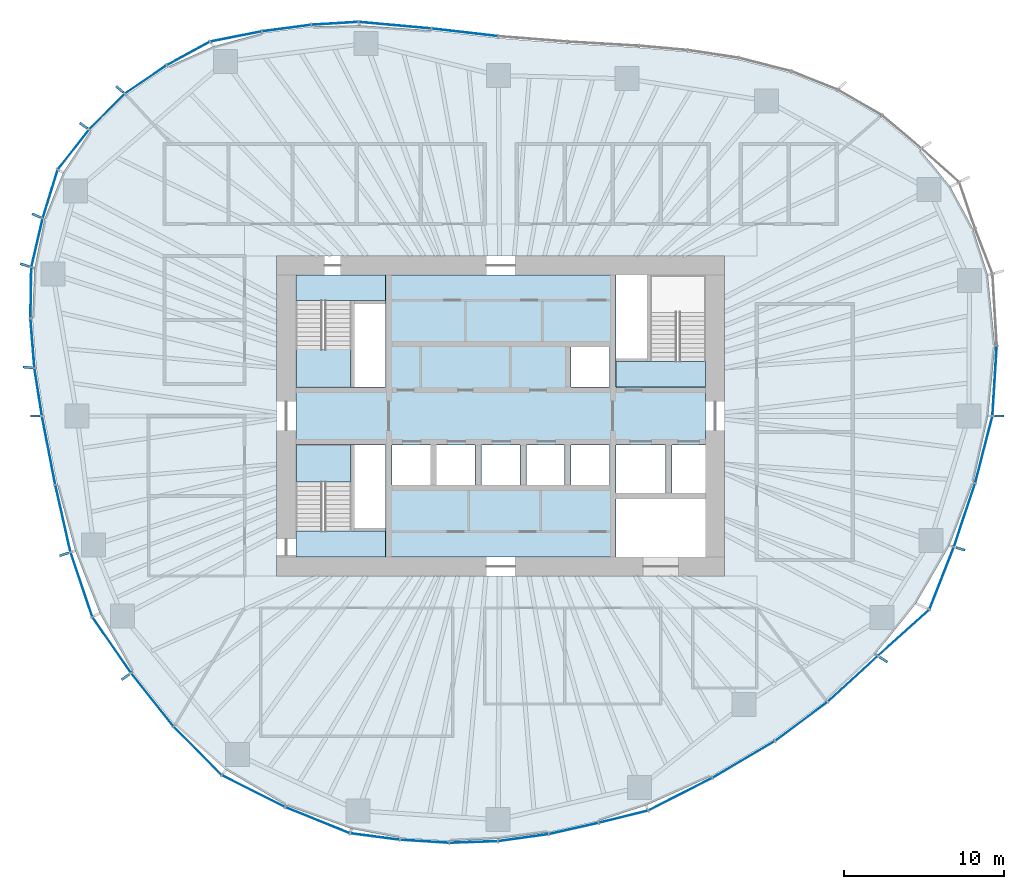
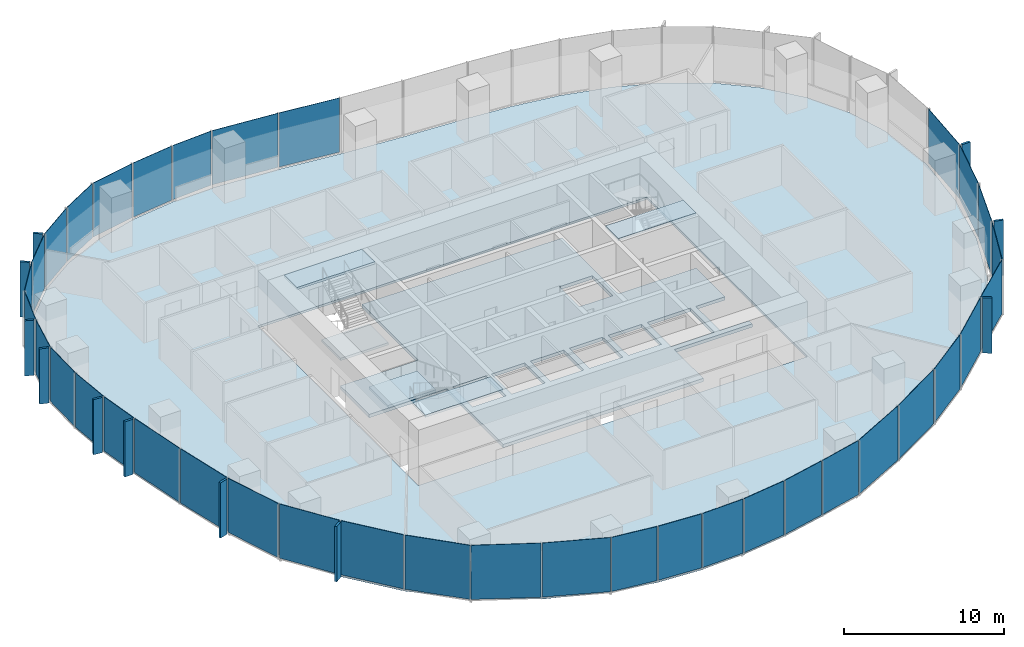
# One storey, part 7 of 18: 48 plates, 7 slabs, 19 elements without a shape of their own.
"""IFC4 building model written with IfcOpenShell, lengths in metres."""

from ifc_helpers import new_model, si_unit, direction, frame, origin, origin_2d, place, context, subcontext, project, spatial, polyline, rectangle, outline, extrude, material, layer, layer_set, type_object, element, aggregate, save


model = new_model("IFC4")

# Units and contexts
model_context = context("Model", 3, precision=1e-05, world=origin(), true_north=direction((0.0, 1.0)))
body_context = subcontext(model_context, "Body", "Model", "MODEL_VIEW")
ifc_project = project(units=[si_unit("LENGTHUNIT", "METRE"), si_unit("AREAUNIT", "SQUARE_METRE"), si_unit("VOLUMEUNIT", "CUBIC_METRE"), si_unit("PLANEANGLEUNIT", "RADIAN"), si_unit("MASSUNIT", "GRAM", prefix="KILO")], contexts=[model_context])

# Site, building, storey
site_placement = place(None, origin())
site = spatial("IfcSite", under=ifc_project, at=site_placement, CompositionType="ELEMENT")
building_placement = place(site_placement, origin())
building = spatial("IfcBuilding", under=site, at=building_placement, Name="Ghaith Harvest Tower", CompositionType="ELEMENT")
storey_placement = place(building_placement, frame((0.0, 0.0, 142.800048828125)))
storey = spatial("IfcBuildingStorey", under=building, at=storey_placement, Name="L30", CompositionType="ELEMENT", Elevation=142.800048828125)

# Curtain wall, plate
ifc_material_1 = material(Name="Black anodised aluminium and fritted glass", Category="aluminium")
curtain_wall_type = type_object("IfcCurtainWallType", Name="CW-L CURTAIN WALL", PredefinedType="NOTDEFINED", material=ifc_material_1)
curtain_wall_1_placement = place(storey_placement, origin())
curtain_wall_1 = element("IfcCurtainWall", 1, at=curtain_wall_1_placement, inside=storey, type_object=curtain_wall_type, Name="Curtain wall CW-L bay 01 L30", PredefinedType="NOTDEFINED")
ifc_material_2 = material(Name="Glass, dark solar-control fritted double glazed unit", Category="glass")
ifc_layer_1 = layer(ifc_material_2, 0.031982421875)
ifc_layer_set_1 = layer_set([ifc_layer_1], Name="CW-L VISION PANEL")
plate_type_1 = type_object("IfcPlateType", Name="CW-L VISION PANEL", PredefinedType="CURTAIN_PANEL", material=ifc_layer_set_1)
plate_1_placement = place(storey_placement, frame((30.86376953125, 2.19482421875, 0.079833984375), z_axis=(0.0, 0.0, 1.0), x_axis=(0.061379619468, 0.99811449359, 0.0)))
plate_1 = element("IfcPlate", 2, at=plate_1_placement, type_object=plate_type_1, Name="CW-L glass unit 1 bay 01 L30", PredefinedType="CURTAIN_PANEL", context=body_context, shape_type="SweptSolid", body=[
    extrude(rectangle(XDim=4.318115234375, YDim=0.031982421875, at=origin_2d()), origin(), (0.0, 0.0, 1.0), 4.1201171875),
])
aggregate(curtain_wall_1, [plate_1])

# Curtain wall, plates
curtain_wall_2_placement = place(storey_placement, origin())
curtain_wall_2 = element("IfcCurtainWall", 3, at=curtain_wall_2_placement, inside=storey, type_object=curtain_wall_type, Name="Curtain wall CW-L bay 06 L30", PredefinedType="NOTDEFINED")
plate_2_placement = place(storey_placement, frame((-2.24267578125, 23.968505859375, 0.079833984375), z_axis=(0.0, 0.0, 1.0), x_axis=(-0.993477024646, 0.114032458099, 0.0)))
plate_2 = element("IfcPlate", 4, at=plate_2_placement, type_object=plate_type_1, Name="CW-L glass unit 1 bay 06 L30", PredefinedType="CURTAIN_PANEL", context=body_context, shape_type="SweptSolid", body=[
    extrude(rectangle(XDim=4.10791015625, YDim=0.031982421875, at=origin_2d()), origin(), (0.0, 0.0, 1.0), 4.1201171875),
])
plate_3_placement = place(storey_placement, frame((-6.607666015625, 24.4140625, 0.079833984375), z_axis=(0.0, 0.0, 1.0), x_axis=(-0.995928776302, 0.090143621701, 0.0)))
plate_3 = element("IfcPlate", 5, at=plate_3_placement, type_object=plate_type_1, Name="CW-L glass unit 2 bay 06 L30", PredefinedType="CURTAIN_PANEL", context=body_context, shape_type="SweptSolid", body=[
    extrude(rectangle(XDim=4.508056640625, YDim=0.031982421875, at=origin_2d()), origin(), (0.0, 0.0, 1.0), 4.1201171875),
])
aggregate(curtain_wall_2, [plate_2, plate_3])

curtain_wall_3_placement = place(storey_placement, origin())
curtain_wall_3 = element("IfcCurtainWall", 6, at=curtain_wall_3_placement, inside=storey, type_object=curtain_wall_type, Name="Curtain wall CW-L bay 07 L30", PredefinedType="NOTDEFINED")
plate_4_placement = place(storey_placement, frame((-10.36669921875, 24.5302734375, 0.079833984375), z_axis=(0.0, 0.0, 1.0), x_axis=(-0.998119199641, -0.061303044853, 0.0)))
plate_4 = element("IfcPlate", 7, at=plate_4_placement, type_object=plate_type_1, Name="CW-L glass unit 1 bay 07 L30", PredefinedType="CURTAIN_PANEL", context=body_context, shape_type="SweptSolid", body=[
    extrude(rectangle(XDim=2.874267578125, YDim=0.031982421875, at=origin_2d()), origin(), (0.0, 0.0, 1.0), 4.1201171875),
])
plate_5_placement = place(storey_placement, frame((-13.382568359375, 24.23486328125, 0.079833984375), z_axis=(0.0, 0.0, 1.0), x_axis=(-0.991285895369, -0.131728029071, 0.0)))
plate_5 = element("IfcPlate", 8, at=plate_5_placement, type_object=plate_type_1, Name="CW-L glass unit 2 bay 07 L30", PredefinedType="CURTAIN_PANEL", context=body_context, shape_type="SweptSolid", body=[
    extrude(rectangle(XDim=3.02978515625, YDim=0.031982421875, at=origin_2d()), origin(), (0.0, 0.0, 1.0), 4.1201171875),
])
plate_6_placement = place(storey_placement, frame((-16.54443359375, 23.7099609375, 0.079833984375), z_axis=(0.0, 0.0, 1.0), x_axis=(-0.981037550101, -0.193817763096, 0.0)))
plate_6 = element("IfcPlate", 9, at=plate_6_placement, type_object=plate_type_1, Name="CW-L glass unit 3 bay 07 L30", PredefinedType="CURTAIN_PANEL", context=body_context, shape_type="SweptSolid", body=[
    extrude(rectangle(XDim=3.22412109375, YDim=0.031982421875, at=origin_2d()), origin(), (0.0, 0.0, 1.0), 4.1201171875),
])
aggregate(curtain_wall_3, [plate_4, plate_5, plate_6])

curtain_wall_4_placement = place(storey_placement, origin())
curtain_wall_4 = element("IfcCurtainWall", 10, at=curtain_wall_4_placement, inside=storey, type_object=curtain_wall_type, Name="Curtain wall CW-L bay 08 L30", PredefinedType="NOTDEFINED")
plate_7_placement = place(storey_placement, frame((-19.520263671875, 22.650634765625, 0.079833984375), z_axis=(0.0, 0.0, 1.0), x_axis=(-0.877940384665, -0.478769966659, 0.0)))
plate_7 = element("IfcPlate", 11, at=plate_7_placement, type_object=plate_type_1, Name="CW-L glass unit 1 bay 08 L30", PredefinedType="CURTAIN_PANEL", context=body_context, shape_type="SweptSolid", body=[
    extrude(rectangle(XDim=3.007080078125, YDim=0.031982421875, at=origin_2d()), origin(), (0.0, 0.0, 1.0), 4.1201171875),
])
plate_8_placement = place(storey_placement, frame((-22.182373046875, 21.025390625, 0.079833984375), z_axis=(0.0, 0.0, 1.0), x_axis=(-0.827674847773, -0.561207935051, 0.0)))
plate_8 = element("IfcPlate", 12, at=plate_8_placement, type_object=plate_type_1, Name="CW-L glass unit 2 bay 08 L30", PredefinedType="CURTAIN_PANEL", context=body_context, shape_type="SweptSolid", body=[
    extrude(rectangle(XDim=3.078369140625, YDim=0.031982421875, at=origin_2d()), origin(), (0.0, 0.0, 1.0), 4.1201171875),
])
plate_9_placement = place(storey_placement, frame((-24.603759765625, 19.01708984375, 0.079833984375), z_axis=(0.0, 0.0, 1.0), x_axis=(-0.704613943896, -0.709590861037, 0.0)))
plate_9 = element("IfcPlate", 13, at=plate_9_placement, type_object=plate_type_1, Name="CW-L glass unit 3 bay 08 L30", PredefinedType="CURTAIN_PANEL", context=body_context, shape_type="SweptSolid", body=[
    extrude(rectangle(XDim=3.0830078125, YDim=0.031982421875, at=origin_2d()), origin(), (0.0, 0.0, 1.0), 4.1201171875),
])
aggregate(curtain_wall_4, [plate_7, plate_8, plate_9])

curtain_wall_5_placement = place(storey_placement, origin())
curtain_wall_5 = element("IfcCurtainWall", 14, at=curtain_wall_5_placement, inside=storey, type_object=curtain_wall_type, Name="Curtain wall CW-L bay 09 L30", PredefinedType="NOTDEFINED")
plate_10_placement = place(storey_placement, frame((-26.69873046875, 16.644775390625, 0.079833984375), z_axis=(0.0, 0.0, 1.0), x_axis=(-0.617140806324, -0.786852734106, 0.0)))
plate_10 = element("IfcPlate", 15, at=plate_10_placement, type_object=plate_type_1, Name="CW-L glass unit 1 bay 09 L30", PredefinedType="CURTAIN_PANEL", context=body_context, shape_type="SweptSolid", body=[
    extrude(rectangle(XDim=3.09765625, YDim=0.031982421875, at=origin_2d()), origin(), (0.0, 0.0, 1.0), 4.1201171875),
])
plate_11_placement = place(storey_placement, frame((-28.14794921875, 13.869140625, 0.079833984375), z_axis=(0.0, 0.0, 1.0), x_axis=(-0.293802674087, -0.955866093498, 0.0)))
plate_11 = element("IfcPlate", 16, at=plate_11_placement, type_object=plate_type_1, Name="CW-L glass unit 2 bay 09 L30", PredefinedType="CURTAIN_PANEL", context=body_context, shape_type="SweptSolid", body=[
    extrude(rectangle(XDim=3.111328125, YDim=0.031982421875, at=origin_2d()), origin(), (0.0, 0.0, 1.0), 4.1201171875),
])
plate_12_placement = place(storey_placement, frame((-28.9716796875, 10.819091796875, 0.079833984375), z_axis=(0.0, 0.0, 1.0), x_axis=(-0.226698962458, -0.973964876379, 0.0)))
plate_12 = element("IfcPlate", 17, at=plate_12_placement, type_object=plate_type_1, Name="CW-L glass unit 3 bay 09 L30", PredefinedType="CURTAIN_PANEL", context=body_context, shape_type="SweptSolid", body=[
    extrude(rectangle(XDim=3.05126953125, YDim=0.031982421875, at=origin_2d()), origin(), (0.0, 0.0, 1.0), 4.1201171875),
])
aggregate(curtain_wall_5, [plate_10, plate_11, plate_12])

curtain_wall_6_placement = place(storey_placement, origin())
curtain_wall_6 = element("IfcCurtainWall", 18, at=curtain_wall_6_placement, inside=storey, type_object=curtain_wall_type, Name="Curtain wall CW-L bay 10 L30", PredefinedType="NOTDEFINED")
plate_13_placement = place(storey_placement, frame((-29.352294921875, 7.695068359375, 0.079833984375), z_axis=(0.0, 0.0, 1.0), x_axis=(-0.016034106433, -0.999871445452, 0.0)))
plate_13 = element("IfcPlate", 19, at=plate_13_placement, type_object=plate_type_1, Name="CW-L glass unit 1 bay 10 L30", PredefinedType="CURTAIN_PANEL", context=body_context, shape_type="SweptSolid", body=[
    extrude(rectangle(XDim=3.118408203125, YDim=0.031982421875, at=origin_2d()), origin(), (0.0, 0.0, 1.0), 4.1201171875),
])
plate_14_placement = place(storey_placement, frame((-29.25439453125, 4.54345703125, 0.079833984375), z_axis=(0.0, 0.0, 1.0), x_axis=(0.079273335663, -0.996852917061, 0.0)))
plate_14 = element("IfcPlate", 20, at=plate_14_placement, type_object=plate_type_1, Name="CW-L glass unit 2 bay 10 L30", PredefinedType="CURTAIN_PANEL", context=body_context, shape_type="SweptSolid", body=[
    extrude(rectangle(XDim=3.035400390625, YDim=0.031982421875, at=origin_2d()), origin(), (0.0, 0.0, 1.0), 4.1201171875),
])
plate_15_placement = place(storey_placement, frame((-28.896240234375, 1.495361328125, 0.079833984375), z_axis=(0.0, 0.0, 1.0), x_axis=(0.155172175389, -0.987887440949, 0.0)))
plate_15 = element("IfcPlate", 21, at=plate_15_placement, type_object=plate_type_1, Name="CW-L glass unit 3 bay 10 L30", PredefinedType="CURTAIN_PANEL", context=body_context, shape_type="SweptSolid", body=[
    extrude(rectangle(XDim=2.947265625, YDim=0.031982421875, at=origin_2d()), origin(), (0.0, 0.0, 1.0), 4.1201171875),
])
aggregate(curtain_wall_6, [plate_13, plate_14, plate_15])

curtain_wall_7_placement = place(storey_placement, origin())
curtain_wall_7 = element("IfcCurtainWall", 22, at=curtain_wall_7_placement, inside=storey, type_object=curtain_wall_type, Name="Curtain wall CW-L bay 11 L30", PredefinedType="NOTDEFINED")
plate_16_placement = place(storey_placement, frame((-28.24462890625, -2.152099609375, 0.079833984375), z_axis=(0.0, 0.0, 1.0), x_axis=(0.190044913274, -0.981775397399, 0.0)))
plate_16 = element("IfcPlate", 23, at=plate_16_placement, type_object=plate_type_1, Name="CW-L glass unit 1 bay 11 L30", PredefinedType="CURTAIN_PANEL", context=body_context, shape_type="SweptSolid", body=[
    extrude(rectangle(XDim=4.303955078125, YDim=0.031982421875, at=origin_2d()), origin(), (0.0, 0.0, 1.0), 4.1201171875),
])
plate_17_placement = place(storey_placement, frame((-27.351806640625, -6.41064453125, 0.079833984375), z_axis=(0.0, 0.0, 1.0), x_axis=(0.220483469245, -0.975390711351, 0.0)))
plate_17 = element("IfcPlate", 24, at=plate_17_placement, type_object=plate_type_1, Name="CW-L glass unit 2 bay 11 L30", PredefinedType="CURTAIN_PANEL", context=body_context, shape_type="SweptSolid", body=[
    extrude(rectangle(XDim=4.239501953125, YDim=0.031982421875, at=origin_2d()), origin(), (0.0, 0.0, 1.0), 4.1201171875),
])
aggregate(curtain_wall_7, [plate_16, plate_17])

curtain_wall_8_placement = place(storey_placement, origin())
curtain_wall_8 = element("IfcCurtainWall", 25, at=curtain_wall_8_placement, inside=storey, type_object=curtain_wall_type, Name="Curtain wall CW-L bay 12 L30", PredefinedType="NOTDEFINED")
plate_18_placement = place(storey_placement, frame((-26.194580078125, -10.537841796875, 0.079833984375), z_axis=(0.0, 0.0, 1.0), x_axis=(0.319477383729, -0.947593901039, 0.0)))
plate_18 = element("IfcPlate", 26, at=plate_18_placement, type_object=plate_type_1, Name="CW-L glass unit 1 bay 12 L30", PredefinedType="CURTAIN_PANEL", context=body_context, shape_type="SweptSolid", body=[
    extrude(rectangle(XDim=4.184326171875, YDim=0.031982421875, at=origin_2d()), origin(), (0.0, 0.0, 1.0), 4.1201171875),
])
plate_19_placement = place(storey_placement, frame((-24.3017578125, -14.312255859375, 0.079833984375), z_axis=(0.0, 0.0, 1.0), x_axis=(0.568347699633, -0.822788485774, 0.0)))
plate_19 = element("IfcPlate", 27, at=plate_19_placement, type_object=plate_type_1, Name="CW-L glass unit 2 bay 12 L30", PredefinedType="CURTAIN_PANEL", context=body_context, shape_type="SweptSolid", body=[
    extrude(rectangle(XDim=4.18359375, YDim=0.031982421875, at=origin_2d()), origin(), (0.0, 0.0, 1.0), 4.1201171875),
])
aggregate(curtain_wall_8, [plate_18, plate_19])

curtain_wall_9_placement = place(storey_placement, origin())
curtain_wall_9 = element("IfcCurtainWall", 28, at=curtain_wall_9_placement, inside=storey, type_object=curtain_wall_type, Name="Curtain wall CW-L bay 13 L30", PredefinedType="NOTDEFINED")
plate_20_placement = place(storey_placement, frame((-21.765625, -17.7314453125, 0.079833984375), z_axis=(0.0, 0.0, 1.0), x_axis=(0.622507360482, -0.782613944513, 0.0)))
plate_20 = element("IfcPlate", 29, at=plate_20_placement, type_object=plate_type_1, Name="CW-L glass unit 1 bay 13 L30", PredefinedType="CURTAIN_PANEL", context=body_context, shape_type="SweptSolid", body=[
    extrude(rectangle(XDim=4.175537109375, YDim=0.031982421875, at=origin_2d()), origin(), (0.0, 0.0, 1.0), 4.1201171875),
])
plate_21_placement = place(storey_placement, frame((-18.935791015625, -20.920166015625, 0.079833984375), z_axis=(0.0, 0.0, 1.0), x_axis=(0.702843151286, -0.711344856375, 0.0)))
plate_21 = element("IfcPlate", 30, at=plate_21_placement, type_object=plate_type_1, Name="CW-L glass unit 2 bay 13 L30", PredefinedType="CURTAIN_PANEL", context=body_context, shape_type="SweptSolid", body=[
    extrude(rectangle(XDim=4.203369140625, YDim=0.031982421875, at=origin_2d()), origin(), (0.0, 0.0, 1.0), 4.1201171875),
])
aggregate(curtain_wall_9, [plate_20, plate_21])

curtain_wall_10_placement = place(storey_placement, origin())
curtain_wall_10 = element("IfcCurtainWall", 31, at=curtain_wall_10_placement, inside=storey, type_object=curtain_wall_type, Name="Curtain wall CW-L bay 14 L30", PredefinedType="NOTDEFINED")
plate_22_placement = place(storey_placement, frame((-15.44677734375, -23.443115234375, 0.079833984375), z_axis=(0.0, 0.0, 1.0), x_axis=(0.893062297869, -0.449933030712, 0.0)))
plate_22 = element("IfcPlate", 32, at=plate_22_placement, type_object=plate_type_1, Name="CW-L glass unit 1 bay 14 L30", PredefinedType="CURTAIN_PANEL", context=body_context, shape_type="SweptSolid", body=[
    extrude(rectangle(XDim=4.362548828125, YDim=0.031982421875, at=origin_2d()), origin(), (0.0, 0.0, 1.0), 4.1201171875),
])
plate_23_placement = place(storey_placement, frame((-11.441162109375, -25.260498046875, 0.079833984375), z_axis=(0.0, 0.0, 1.0), x_axis=(0.927002522537, -0.375055093567, 0.0)))
plate_23 = element("IfcPlate", 33, at=plate_23_placement, type_object=plate_type_1, Name="CW-L glass unit 2 bay 14 L30", PredefinedType="CURTAIN_PANEL", context=body_context, shape_type="SweptSolid", body=[
    extrude(rectangle(XDim=4.282470703125, YDim=0.031982421875, at=origin_2d()), origin(), (0.0, 0.0, 1.0), 4.1201171875),
])
aggregate(curtain_wall_10, [plate_22, plate_23])

curtain_wall_11_placement = place(storey_placement, origin())
curtain_wall_11 = element("IfcCurtainWall", 34, at=curtain_wall_11_placement, inside=storey, type_object=curtain_wall_type, Name="Curtain wall CW-L bay 15 L30", PredefinedType="NOTDEFINED")
plate_24_placement = place(storey_placement, frame((-7.856689453125, -26.281005859375, 0.079833984375), z_axis=(0.0, 0.0, 1.0), x_axis=(0.99172348392, -0.128392100386, 0.0)))
plate_24 = element("IfcPlate", 35, at=plate_24_placement, type_object=plate_type_1, Name="CW-L glass unit 1 bay 15 L30", PredefinedType="CURTAIN_PANEL", context=body_context, shape_type="SweptSolid", body=[
    extrude(rectangle(XDim=3.07080078125, YDim=0.031982421875, at=origin_2d()), origin(), (0.0, 0.0, 1.0), 4.1201171875),
])
plate_25_placement = place(storey_placement, frame((-4.7568359375, -26.57958984375, 0.079833984375), z_axis=(0.0, 0.0, 1.0), x_axis=(0.998038280843, -0.062606628824, 0.0)))
plate_25 = element("IfcPlate", 36, at=plate_25_placement, type_object=plate_type_1, Name="CW-L glass unit 2 bay 15 L30", PredefinedType="CURTAIN_PANEL", context=body_context, shape_type="SweptSolid", body=[
    extrude(rectangle(XDim=3.001220703125, YDim=0.031982421875, at=origin_2d()), origin(), (0.0, 0.0, 1.0), 4.1201171875),
])
plate_26_placement = place(storey_placement, frame((-1.700439453125, -26.624755859375, 0.079833984375), z_axis=(0.0, 0.0, 1.0), x_axis=(0.999431515426, 0.033714180603, 0.0)))
plate_26 = element("IfcPlate", 37, at=plate_26_placement, type_object=plate_type_1, Name="CW-L glass unit 3 bay 15 L30", PredefinedType="CURTAIN_PANEL", context=body_context, shape_type="SweptSolid", body=[
    extrude(rectangle(XDim=2.958984375, YDim=0.031982421875, at=origin_2d()), origin(), (0.0, 0.0, 1.0), 4.1201171875),
])
aggregate(curtain_wall_11, [plate_24, plate_25, plate_26])

curtain_wall_12_placement = place(storey_placement, origin())
curtain_wall_12 = element("IfcCurtainWall", 38, at=curtain_wall_12_placement, inside=storey, type_object=curtain_wall_type, Name="Curtain wall CW-L bay 16 L30", PredefinedType="NOTDEFINED")
plate_27_placement = place(storey_placement, frame((1.4140625, -26.3515625, 0.079833984375), z_axis=(0.0, 0.0, 1.0), x_axis=(0.990448098003, 0.137886058621, 0.0)))
plate_27 = element("IfcPlate", 39, at=plate_27_placement, type_object=plate_type_1, Name="CW-L glass unit 1 bay 16 L30", PredefinedType="CURTAIN_PANEL", context=body_context, shape_type="SweptSolid", body=[
    extrude(rectangle(XDim=3.142578125, YDim=0.031982421875, at=origin_2d()), origin(), (0.0, 0.0, 1.0), 4.1201171875),
])
plate_28_placement = place(storey_placement, frame((4.565185546875, -25.77734375, 0.079833984375), z_axis=(0.0, 0.0, 1.0), x_axis=(0.975341754172, 0.220699937852, 0.0)))
plate_28 = element("IfcPlate", 40, at=plate_28_placement, type_object=plate_type_1, Name="CW-L glass unit 2 bay 16 L30", PredefinedType="CURTAIN_PANEL", context=body_context, shape_type="SweptSolid", body=[
    extrude(rectangle(XDim=3.10888671875, YDim=0.031982421875, at=origin_2d()), origin(), (0.0, 0.0, 1.0), 4.1201171875),
])
plate_29_placement = place(storey_placement, frame((7.66845703125, -25.0400390625, 0.079833984375), z_axis=(0.0, 0.0, 1.0), x_axis=(0.970384283801, 0.241566433413, 0.0)))
plate_29 = element("IfcPlate", 41, at=plate_29_placement, type_object=plate_type_1, Name="CW-L glass unit 3 bay 16 L30", PredefinedType="CURTAIN_PANEL", context=body_context, shape_type="SweptSolid", body=[
    extrude(rectangle(XDim=3.111083984375, YDim=0.031982421875, at=origin_2d()), origin(), (0.0, 0.0, 1.0), 4.1201171875),
])
aggregate(curtain_wall_12, [plate_27, plate_28, plate_29])

curtain_wall_13_placement = place(storey_placement, origin())
curtain_wall_13 = element("IfcCurtainWall", 42, at=curtain_wall_13_placement, inside=storey, type_object=curtain_wall_type, Name="Curtain wall CW-L bay 17 L30", PredefinedType="NOTDEFINED")
plate_30_placement = place(storey_placement, frame((11.220703125, -23.63427734375, 0.079833984375), z_axis=(0.0, 0.0, 1.0), x_axis=(0.891126766056, 0.453754434489, 0.0)))
plate_30 = element("IfcPlate", 43, at=plate_30_placement, type_object=plate_type_1, Name="CW-L glass unit 1 bay 17 L30", PredefinedType="CURTAIN_PANEL", context=body_context, shape_type="SweptSolid", body=[
    extrude(rectangle(XDim=4.417236328125, YDim=0.031982421875, at=origin_2d()), origin(), (0.0, 0.0, 1.0), 4.1201171875),
])
plate_31_placement = place(storey_placement, frame((15.17822265625, -21.46484375, 0.079833984375), z_axis=(0.0, 0.0, 1.0), x_axis=(0.861979497965, 0.506943137924, 0.0)))
plate_31 = element("IfcPlate", 44, at=plate_31_placement, type_object=plate_type_1, Name="CW-L glass unit 2 bay 17 L30", PredefinedType="CURTAIN_PANEL", context=body_context, shape_type="SweptSolid", body=[
    extrude(rectangle(XDim=4.453125, YDim=0.031982421875, at=origin_2d()), origin(), (0.0, 0.0, 1.0), 4.1201171875),
])
aggregate(curtain_wall_13, [plate_30, plate_31])

curtain_wall_14_placement = place(storey_placement, origin())
curtain_wall_14 = element("IfcCurtainWall", 45, at=curtain_wall_14_placement, inside=storey, type_object=curtain_wall_type, Name="Curtain wall CW-L bay 18 L30", PredefinedType="NOTDEFINED")
plate_32_placement = place(storey_placement, frame((18.78076171875, -19.08984375, 0.079833984375), z_axis=(0.0, 0.0, 1.0), x_axis=(0.802462370117, 0.596702727115, 0.0)))
plate_32 = element("IfcPlate", 46, at=plate_32_placement, type_object=plate_type_1, Name="CW-L glass unit 1 bay 18 L30", PredefinedType="CURTAIN_PANEL", context=body_context, shape_type="SweptSolid", body=[
    extrude(rectangle(XDim=4.029541015625, YDim=0.031982421875, at=origin_2d()), origin(), (0.0, 0.0, 1.0), 4.1201171875),
])
plate_33_placement = place(storey_placement, frame((21.9951171875, -16.428955078125, 0.079833984375), z_axis=(0.0, 0.0, 1.0), x_axis=(0.737201663563, 0.675672781189, 0.0)))
plate_33 = element("IfcPlate", 47, at=plate_33_placement, type_object=plate_type_1, Name="CW-L glass unit 2 bay 18 L30", PredefinedType="CURTAIN_PANEL", context=body_context, shape_type="SweptSolid", body=[
    extrude(rectangle(XDim=4.1669921875, YDim=0.031982421875, at=origin_2d()), origin(), (0.0, 0.0, 1.0), 4.1201171875),
])
aggregate(curtain_wall_14, [plate_32, plate_33])

curtain_wall_15_placement = place(storey_placement, origin())
curtain_wall_15 = element("IfcCurtainWall", 48, at=curtain_wall_15_placement, inside=storey, type_object=curtain_wall_type, Name="Curtain wall CW-L bay 19 L30", PredefinedType="NOTDEFINED")
plate_34_placement = place(storey_placement, frame((25.17333984375, -13.54345703125, 0.079833984375), z_axis=(0.0, 0.0, 1.0), x_axis=(0.743493028761, 0.668743684968, 0.0)))
plate_34 = element("IfcPlate", 49, at=plate_34_placement, type_object=plate_type_1, Name="CW-L glass unit 1 bay 19 L30", PredefinedType="CURTAIN_PANEL", context=body_context, shape_type="SweptSolid", body=[
    extrude(rectangle(XDim=4.2587890625, YDim=0.031982421875, at=origin_2d()), origin(), (0.0, 0.0, 1.0), 4.1201171875),
])
plate_35_placement = place(storey_placement, frame((27.552978515625, -10.138916015625, 0.079833984375), z_axis=(0.0, 0.0, 1.0), x_axis=(0.365226458984, 0.930918704108, 0.0)))
plate_35 = element("IfcPlate", 50, at=plate_35_placement, type_object=plate_type_1, Name="CW-L glass unit 2 bay 19 L30", PredefinedType="CURTAIN_PANEL", context=body_context, shape_type="SweptSolid", body=[
    extrude(rectangle(XDim=4.11767578125, YDim=0.031982421875, at=origin_2d()), origin(), (0.0, 0.0, 1.0), 4.1201171875),
])
aggregate(curtain_wall_15, [plate_34, plate_35])

curtain_wall_16_placement = place(storey_placement, origin())
curtain_wall_16 = element("IfcCurtainWall", 51, at=curtain_wall_16_placement, inside=storey, type_object=curtain_wall_type, Name="Curtain wall CW-L bay 20 L30", PredefinedType="NOTDEFINED")
plate_36_placement = place(storey_placement, frame((28.982666015625, -6.191650390625, 0.079833984375), z_axis=(0.0, 0.0, 1.0), x_axis=(0.315708038084, 0.948856382541, 0.0)))
plate_36 = element("IfcPlate", 52, at=plate_36_placement, type_object=plate_type_1, Name="CW-L glass unit 1 bay 20 L30", PredefinedType="CURTAIN_PANEL", context=body_context, shape_type="SweptSolid", body=[
    extrude(rectangle(XDim=4.12158203125, YDim=0.031982421875, at=origin_2d()), origin(), (0.0, 0.0, 1.0), 4.1201171875),
])
plate_37_placement = place(storey_placement, frame((30.187255859375, -2.09912109375, 0.079833984375), z_axis=(0.0, 0.0, 1.0), x_axis=(0.24974411022, 0.968311870944, 0.0)))
plate_37 = element("IfcPlate", 53, at=plate_37_placement, type_object=plate_type_1, Name="CW-L glass unit 2 bay 20 L30", PredefinedType="CURTAIN_PANEL", context=body_context, shape_type="SweptSolid", body=[
    extrude(rectangle(XDim=4.255615234375, YDim=0.031982421875, at=origin_2d()), origin(), (0.0, 0.0, 1.0), 4.1201171875),
])
aggregate(curtain_wall_16, [plate_36, plate_37])

# Slabs
ifc_material_3 = material(Name="Concrete C40/50", Category="concrete")
ifc_layer_2 = layer(ifc_material_3, 0.169921875)
ifc_layer_set_2 = layer_set([ifc_layer_2], Name="FLOOR SLAB 170")
slab_type_1 = type_object("IfcSlabType", Name="FLOOR SLAB 170", PredefinedType="FLOOR", material=ifc_layer_set_2)
slab_1_placement = place(storey_placement, frame((0.0, 0.0, -0.170166015625)))
element("IfcSlab", 54, at=slab_1_placement, inside=storey, type_object=slab_type_1, Name="Floor slab L30", PredefinedType="FLOOR", context=body_context, shape_type="SweptSolid", body=[
    extrude(outline(polyline([(30.458740234375, 0.0), (30.8798828125, 4.373046875), (30.439208984375, 8.797607421875), (29.52294921875, 11.671875), (28.0888671875, 14.32568359375), (26.179443359375, 16.660888671875), (23.7275390625, 18.718017578125), (20.97998046875, 20.3056640625), (18.0849609375, 21.4462890625), (14.79833984375, 22.27978515625), (11.617919921875, 22.757080078125), (8.604736328125, 23.017333984375), (4.125732421875, 23.272705078125), (-0.16162109375, 23.609619140625), (-4.302001953125, 24.089111328125), (-8.814208984375, 24.404541015625), (-11.788818359375, 24.331787109375), (-14.860595703125, 23.927978515625), (-17.938232421875, 23.097412109375), (-20.79248046875, 21.82470703125), (-23.398193359375, 20.06103515625), (-25.61962890625, 17.826416015625), (-27.33837890625, 15.204833984375), (-28.506591796875, 12.29638671875), (-29.12646484375, 9.230712890625), (-29.260498046875, 6.07177734375), (-29.01171875, 2.978271484375), (-28.541259765625, 0.0), (-27.70947265625, -4.285888671875), (-26.580078125, -8.423583984375), (-25.046875, -12.32861328125), (-22.99169921875, -15.997802734375), (-20.35400390625, -19.31396484375), (-17.1728515625, -22.11181640625), (-13.4052734375, -24.33740234375), (-9.317138671875, -25.79638671875), (-6.2666015625, -26.366455078125), (-3.204833984375, -26.556884765625), (-0.180908203125, -26.423583984375), (2.99609375, -26.010009765625), (6.09228515625, -25.308837890625), (9.09423828125, -24.326904296875), (13.163818359375, -22.510498046875), (17.054443359375, -20.22412109375), (20.33935546875, -17.784912109375), (23.400390625, -14.89208984375), (25.94775390625, -11.714111328125), (28.03125, -8.1015625), (29.527099609375, -4.181396484375), (30.458740234375, 0.0)]), holes=[polyline([(-14.0, -10.0), (14.0, -10.0), (14.0, 10.0), (-14.0, 10.0), (-14.0, -10.0)])]), origin(), (0.0, 0.0, 1.0), 0.170166015625),
])
ifc_material_4 = material(Name="Concrete C40/50", Category="concrete")
ifc_layer_3 = layer(ifc_material_4, 0.25)
ifc_layer_set_3 = layer_set([ifc_layer_3], Name="FLOOR SLAB 250")
slab_type_2 = type_object("IfcSlabType", Name="FLOOR SLAB 250", PredefinedType="FLOOR", material=ifc_layer_set_3)
slab_2_placement = place(storey_placement, frame((0.0, 0.0, -0.25)))
element("IfcSlab", 55, at=slab_2_placement, inside=storey, type_object=slab_type_2, Name="Core slab L30", PredefinedType="FLOOR", context=body_context, shape_type="SweptSolid", body=[
    extrude(outline(polyline([(-12.800048828125, 1.800048828125), (-7.199951171875, 1.800048828125), (-7.199951171875, 8.800048828125), (7.199951171875, 8.800048828125), (7.199951171875, 1.800048828125), (12.800048828125, 1.800048828125), (12.800048828125, -1.800048828125), (10.699951171875, -1.800048828125), (10.699951171875, -4.800048828125), (12.800048828125, -4.800048828125), (12.800048828125, -5.199951171875), (7.199951171875, -5.199951171875), (7.199951171875, -8.800048828125), (-7.199951171875, -8.800048828125), (-7.199951171875, -1.800048828125), (-12.800048828125, -1.800048828125), (-12.800048828125, 1.800048828125)]), holes=[polyline([(-4.39990234375, -4.300048828125), (-4.39990234375, -1.800048828125), (-6.800048828125, -1.800048828125), (-6.800048828125, -4.300048828125), (-4.39990234375, -4.300048828125)]), polyline([(-1.60009765625, -4.300048828125), (-1.60009765625, -1.800048828125), (-4.0, -1.800048828125), (-4.0, -4.300048828125), (-1.60009765625, -4.300048828125)]), polyline([(1.199951171875, -1.800048828125), (-1.199951171875, -1.800048828125), (-1.199951171875, -4.300048828125), (1.199951171875, -4.300048828125), (1.199951171875, -1.800048828125)]), polyline([(4.0, -4.300048828125), (4.0, -1.800048828125), (1.60009765625, -1.800048828125), (1.60009765625, -4.300048828125), (4.0, -4.300048828125)]), polyline([(10.300048828125, -4.800048828125), (10.300048828125, -1.800048828125), (7.199951171875, -1.800048828125), (7.199951171875, -4.800048828125), (10.300048828125, -4.800048828125)]), polyline([(6.800048828125, -1.800048828125), (4.39990234375, -1.800048828125), (4.39990234375, -4.300048828125), (6.800048828125, -4.300048828125), (6.800048828125, -1.800048828125)]), polyline([(6.800048828125, 1.800048828125), (6.800048828125, 4.300048828125), (4.39990234375, 4.300048828125), (4.39990234375, 1.800048828125), (6.800048828125, 1.800048828125)])]), origin(), (0.0, 0.0, 1.0), 0.25),
])

# Stair, slabs
ifc_material_5 = material(Name="Concrete C40/50, precast", Category="concrete")
stair_type = type_object("IfcStairType", Name="CORE STAIR 24R", PredefinedType="HALF_TURN_STAIR", material=ifc_material_5)
stair_1_placement = place(storey_placement, origin())
stair_1 = element("IfcStair", 56, at=stair_1_placement, inside=storey, type_object=stair_type, Name="Stair ST1 L30", PredefinedType="HALF_TURN_STAIR")
ifc_material_6 = material(Name="Concrete C40/50, precast", Category="concrete")
ifc_layer_4 = layer(ifc_material_6, 0.179931640625)
ifc_layer_set_4 = layer_set([ifc_layer_4], Name="STAIR LANDING 180")
slab_type_3 = type_object("IfcSlabType", Name="STAIR LANDING 180", PredefinedType="LANDING", material=ifc_layer_set_4)
slab_3_placement = place(storey_placement, frame((0.0, 0.0, 1.919921875)))
slab_3 = element("IfcSlab", 57, at=slab_3_placement, type_object=slab_type_3, Name="ST1 landing 1", PredefinedType="LANDING", context=body_context, shape_type="SweptSolid", body=[
    extrude(outline(polyline([(-12.800048828125, 4.139892578125), (-12.800048828125, 1.77490234375), (-9.35009765625, 1.77490234375), (-9.35009765625, 4.139892578125), (-12.800048828125, 4.139892578125)])), origin(), (0.0, 0.0, 1.0), 0.179931640625),
])
slab_4_placement = place(storey_placement, frame((0.0, 0.0, 4.02001953125)))
slab_4 = element("IfcSlab", 58, at=slab_4_placement, type_object=slab_type_3, Name="ST1 landing 2", PredefinedType="LANDING", context=body_context, shape_type="SweptSolid", body=[
    extrude(outline(polyline([(-12.800048828125, 8.800048828125), (-12.800048828125, 7.199951171875), (-7.199951171875, 7.199951171875), (-7.199951171875, 8.800048828125), (-12.800048828125, 8.800048828125)])), origin(), (0.0, 0.0, 1.0), 0.179931640625),
])
aggregate(stair_1, [slab_3, slab_4])

stair_2_placement = place(storey_placement, origin())
stair_2 = element("IfcStair", 59, at=stair_2_placement, inside=storey, type_object=stair_type, Name="Stair ST3 L30", PredefinedType="HALF_TURN_STAIR")
slab_5_placement = place(storey_placement, frame((0.0, 0.0, 1.919921875)))
slab_5 = element("IfcSlab", 60, at=slab_5_placement, type_object=slab_type_3, Name="ST3 landing 1", PredefinedType="LANDING", context=body_context, shape_type="SweptSolid", body=[
    extrude(outline(polyline([(-12.800048828125, -4.139892578125), (-12.800048828125, -1.77490234375), (-9.35009765625, -1.77490234375), (-9.35009765625, -4.139892578125), (-12.800048828125, -4.139892578125)])), origin(), (0.0, 0.0, 1.0), 0.179931640625),
])
slab_6_placement = place(storey_placement, frame((0.0, 0.0, 4.02001953125)))
slab_6 = element("IfcSlab", 61, at=slab_6_placement, type_object=slab_type_3, Name="ST3 landing 2", PredefinedType="LANDING", context=body_context, shape_type="SweptSolid", body=[
    extrude(outline(polyline([(-12.800048828125, -8.800048828125), (-12.800048828125, -7.199951171875), (-7.199951171875, -7.199951171875), (-7.199951171875, -8.800048828125), (-12.800048828125, -8.800048828125)])), origin(), (0.0, 0.0, 1.0), 0.179931640625),
])
aggregate(stair_2, [slab_5, slab_6])

# Stair, slab
stair_3_placement = place(storey_placement, origin())
stair_3 = element("IfcStair", 62, at=stair_3_placement, inside=storey, type_object=stair_type, Name="Stair ST2 L30", PredefinedType="HALF_TURN_STAIR")
slab_7_placement = place(storey_placement, frame((0.0, 0.0, 4.02001953125)))
slab_7 = element("IfcSlab", 63, at=slab_7_placement, type_object=slab_type_3, Name="ST2 landing 2", PredefinedType="LANDING", context=body_context, shape_type="SweptSolid", body=[
    extrude(outline(polyline([(12.800048828125, 1.800048828125), (12.800048828125, 3.39990234375), (7.199951171875, 3.39990234375), (7.199951171875, 1.800048828125), (12.800048828125, 1.800048828125)])), origin(), (0.0, 0.0, 1.0), 0.179931640625),
])
aggregate(stair_3, [slab_7])

# Plates
ifc_material_7 = material(Name="Glassfibre-reinforced concrete", Category="concrete")
ifc_layer_5 = layer(ifc_material_7, 0.14990234375)
ifc_layer_set_5 = layer_set([ifc_layer_5], Name="SUN-BREAKER FIN 600x150")
plate_type_2 = type_object("IfcPlateType", Name="SUN-BREAKER FIN 600x150", PredefinedType="USERDEFINED", material=ifc_layer_set_5)
for number, where, z_axis, x_axis, name in (
    (64, (31.148681640625, 0.0, 0.0), (0.0, 0.0, 1.0), (1.0, 0.0, 0.0), "Sun-breaker fin CW-L 1 bay 01 L30"),
    (65, (-23.808349609375, 20.41259765625, 0.0), (0.0, 0.0, 1.0), (-0.759169742643, 0.650892696115, 0.0), "Sun-breaker fin CW-L 3 bay 08 L30"),
    (66, (-26.06298828125, 18.134765625, 0.0), (0.0, 0.0, 1.0), (-0.820845486523, 0.571150319316, 0.0), "Sun-breaker fin CW-L 1 bay 09 L30"),
    (67, (-29.00244140625, 12.51025390625, 0.0), (0.0, 0.0, 1.0), (-0.918217993215, 0.396075392995, 0.0), "Sun-breaker fin CW-L 3 bay 09 L30"),
    (68, (-29.72705078125, 9.4208984375, 0.0), (0.0, 0.0, 1.0), (-0.953273219358, 0.302109531884, 0.0), "Sun-breaker fin CW-L 1 bay 10 L30"),
    (69, (-29.548828125, 3.033447265625, 0.0), (0.0, 0.0, 1.0), (-0.994771752973, 0.102123256344, 0.0), "Sun-breaker fin CW-L 3 bay 10 L30"),
    (70, (-29.081298828125, 0.0, 0.0), (0.0, 0.0, 1.0), (-1.0, -4.19e-10, 0.0), "Sun-breaker fin CW-L 1 bay 11 L30"),
    (71, (-27.276123046875, -8.644287109375, 0.0), (0.0, 0.0, 1.0), (-0.953273219416, -0.302109531701, 0.0), "Sun-breaker fin CW-L 1 bay 12 L30"),
    (72, (-23.434814453125, -16.30615234375, 0.0), (0.0, 0.0, 1.0), (-0.820845486622, -0.571150319173, 0.0), "Sun-breaker fin CW-L 1 bay 13 L30"),
    (73, (23.914794921875, -15.2197265625, 0.0), (0.0, 0.0, 1.0), (0.84364397137, -0.536903016913, 0.0), "Sun-breaker fin CW-L 1 bay 19 L30"),
    (74, (28.722900390625, -8.301513671875, 0.0), (0.0, 0.0, 1.0), (0.960680349932, -0.277656739976, 0.0), "Sun-breaker fin CW-L 1 bay 20 L30"),
):
    element("IfcPlate", number, at=place(storey_placement, frame(where, z_axis=z_axis, x_axis=x_axis)), inside=storey, type_object=plate_type_2, Name=name, ObjectType="SUN-BREAKER FIN", PredefinedType="USERDEFINED", context=body_context, shape_type="SweptSolid", body=[
        extrude(rectangle(XDim=0.60009765625, YDim=0.14990234375, at=origin_2d()), origin(), (0.0, 0.0, 1.0), 4.199951171875),
    ])

save(model, "model.ifc")
